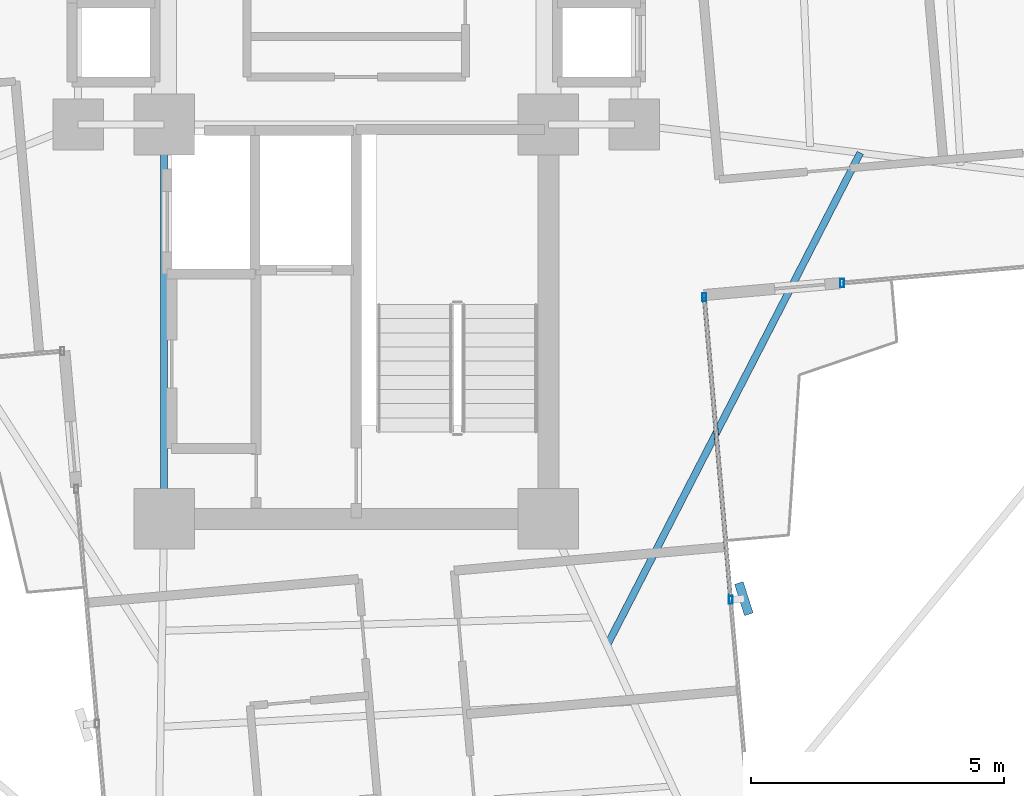
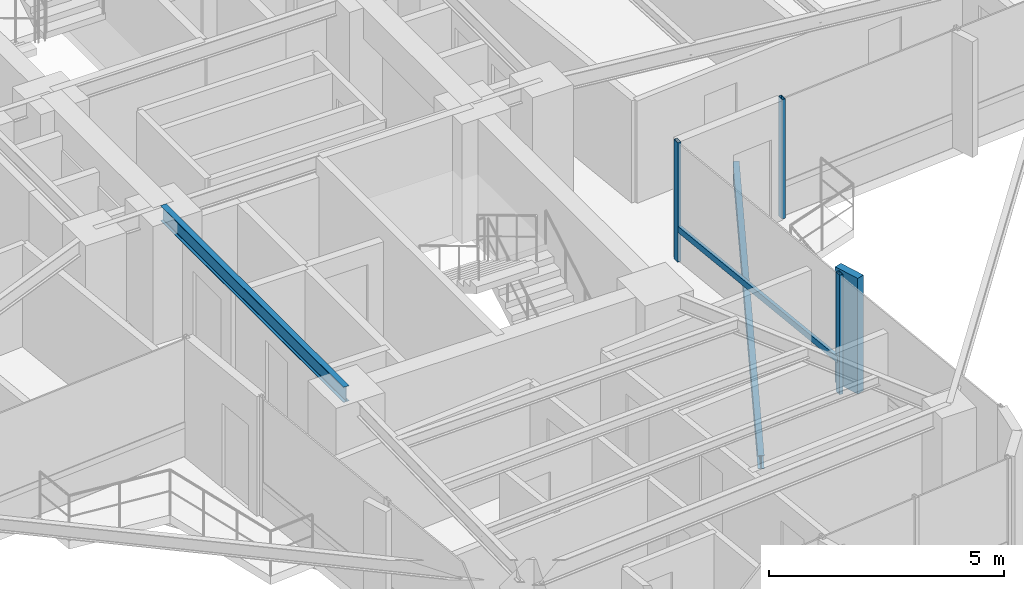
# One storey, part 7 of 24: 5 members, 2 beams, 2 elements without a shape of their own.
"""IFC4 building model written with IfcOpenShell, lengths in metres."""

from ifc_helpers import new_model, si_unit, direction, frame, origin, origin_2d, place, context, subcontext, project, spatial, rectangle, hollow_rectangle, i_section, extrude, source, transform, mapped, material, material_profile, profile_set, type_object, element, aggregate, save


model = new_model("IFC4")

# Units and contexts
model_context = context("Model", 3, precision=1e-05, world=origin(), true_north=direction((0.0, 1.0)))
body_context = subcontext(model_context, "Body", "Model", "MODEL_VIEW")
ifc_project = project(units=[si_unit("LENGTHUNIT", "METRE"), si_unit("AREAUNIT", "SQUARE_METRE"), si_unit("VOLUMEUNIT", "CUBIC_METRE"), si_unit("PLANEANGLEUNIT", "RADIAN"), si_unit("MASSUNIT", "GRAM", prefix="KILO")], contexts=[model_context])

# Site, building, storey
site_placement = place(None, origin())
site = spatial("IfcSite", under=ifc_project, at=site_placement, CompositionType="ELEMENT")
building_placement = place(site_placement, origin())
building = spatial("IfcBuilding", under=site, at=building_placement, Name="Sahyath Konkavel Grand Hotel", CompositionType="ELEMENT")
storey_placement = place(building_placement, frame((0.0, 0.0, 157.300048828125)))
storey = spatial("IfcBuildingStorey", under=building, at=storey_placement, Name="L43", CompositionType="ELEMENT", Elevation=157.300048828125)

# Beam
ifc_material_1 = material(Name="Steel E350", Category="steel")
ifc_material_profile_1 = material_profile(ifc_material_1, i_section(OverallWidth=0.139892578125, OverallDepth=0.39990234375, WebThickness=0.0087890625, FlangeThickness=0.01611328125, FilletRadius=0.013916015625, at=origin_2d()), Name="ISMB 400")
ifc_profile_set_1 = profile_set([ifc_material_profile_1], Name="Steel E350")
beam_type_1 = type_object("IfcBeamType", Name="BM-ISMB400", PredefinedType="BEAM", material=ifc_profile_set_1)
shared_shape_1 = source(origin(), body_context, "Body", "SweptSolid", [
    extrude(i_section(OverallWidth=0.139892578125, OverallDepth=0.39990234375, WebThickness=0.0087890625, FlangeThickness=0.01611328125, FilletRadius=0.013916015625, at=origin_2d()), origin(), (0.0, 0.0, 1.0), 7.800048828125),
])
beam_1_placement = place(storey_placement, frame((-3.800048828125, -10.199951171875, 2.909912109375), z_axis=(0.0, 1.0, 0.0), x_axis=(-1.0, 0.0, 0.0)))
element("IfcBeam", 1, at=beam_1_placement, inside=storey, type_object=beam_type_1, Name="str:bm:L43:SC-W", PredefinedType="BEAM", context=body_context, shape_type="MappedRepresentation", body=[
    mapped(shared_shape_1, transform((0.0, 0.0, 0.0), scale=1.0)),
])

# Curtain wall, member
ifc_material_2 = material(Name="Anodised Bronze Aluminium & Low-E Glazing", Category="aluminium")
curtain_wall_type = type_object("IfcCurtainWallType", Name="CW-ZONE3", PredefinedType="NOTDEFINED", material=ifc_material_2)
curtain_wall_1_placement = place(storey_placement, origin())
curtain_wall_1 = element("IfcCurtainWall", 2, at=curtain_wall_1_placement, inside=storey, type_object=curtain_wall_type, Name="L43 Unitised Curtain Wall F0", PredefinedType="NOTDEFINED")
ifc_material_3 = material(Name="Anodised Bronze Aluminium", Category="aluminium")
ifc_material_profile_2 = material_profile(ifc_material_3, hollow_rectangle(XDim=0.080078125, YDim=0.159912109375, WallThickness=0.006103515625, at=origin_2d()), Name="RHS 160x80x6")
ifc_profile_set_2 = profile_set([ifc_material_profile_2], Name="Anodised Bronze Aluminium")
member_type_1 = type_object("IfcMemberType", Name="CW-MUL-160", PredefinedType="MULLION", material=ifc_profile_set_2)
shared_shape_2 = source(origin(), body_context, "Body", "SweptSolid", [
    extrude(hollow_rectangle(XDim=0.080078125, YDim=0.159912109375, WallThickness=0.006103515625, at=origin_2d()), origin(), (0.0, 0.0, 1.0), 3.10986328125),
])
member_1_placement = place(storey_placement, frame((9.60888671875, -5.53369140625, 0.0), z_axis=(0.0, 0.0, 1.0), x_axis=(1.0, 0.0, 0.0)))
member_1 = element("IfcMember", 3, at=member_1_placement, type_object=member_type_1, Name="L43 Curtain Wall Mullion F0-0", PredefinedType="MULLION", context=body_context, shape_type="MappedRepresentation", body=[
    mapped(shared_shape_2, transform((0.0, 0.0, 0.0), scale=1.0)),
])
aggregate(curtain_wall_1, [member_1])

# Curtain wall, members
curtain_wall_2_placement = place(storey_placement, origin())
curtain_wall_2 = element("IfcCurtainWall", 4, at=curtain_wall_2_placement, inside=storey, type_object=curtain_wall_type, Name="L43 Unitised Curtain Wall F31", PredefinedType="NOTDEFINED")
member_2_placement = place(storey_placement, frame((7.406494140625, -11.79931640625, 0.0), z_axis=(0.0, 0.0, 1.0), x_axis=(1.0, 0.0, 0.0)))
member_2 = element("IfcMember", 5, at=member_2_placement, type_object=member_type_1, Name="L43 Curtain Wall Mullion F31-1", PredefinedType="MULLION", context=body_context, shape_type="MappedRepresentation", body=[
    mapped(shared_shape_2, transform((0.0, 0.0, 0.0), scale=1.0)),
])
member_3_placement = place(storey_placement, frame((6.8828125, -5.812255859375, 0.0), z_axis=(0.0, 0.0, 1.0), x_axis=(1.0, 0.0, 0.0)))
member_3 = element("IfcMember", 6, at=member_3_placement, type_object=member_type_1, Name="L43 Curtain Wall Mullion F31-2", PredefinedType="MULLION", context=body_context, shape_type="MappedRepresentation", body=[
    mapped(shared_shape_2, transform((0.0, 0.0, 0.0), scale=1.0)),
])
ifc_material_4 = material(Name="Warm Buff Sandstone Cladding on Concrete C50/60", Category="masonry")
ifc_material_profile_3 = material_profile(ifc_material_4, rectangle(XDim=0.179931640625, YDim=0.64990234375, at=origin_2d()), Name="FIN 180x650")
ifc_profile_set_3 = profile_set([ifc_material_profile_3], Name="Warm Buff Sandstone Cladding on Concrete C50/60")
member_type_2 = type_object("IfcMemberType", Name="FIN-SANDSTONE-650", PredefinedType="MULLION", material=ifc_profile_set_3)
shared_shape_3 = source(origin(), body_context, "Body", "SweptSolid", [
    extrude(rectangle(XDim=0.179931640625, YDim=0.64990234375, at=origin_2d()), origin(), (0.0, 0.0, 1.0), 3.010009765625),
])
member_4_placement = place(storey_placement, frame((7.66552734375, -11.776611328125, 0.050048828125), z_axis=(0.0, 0.0, 1.0), x_axis=(0.952767550771, 0.303700500819, 0.0)))
member_4 = element("IfcMember", 7, at=member_4_placement, type_object=member_type_2, Name="L43 Sandstone Vertical Solar Fin FIN F31-1", PredefinedType="MULLION", context=body_context, shape_type="MappedRepresentation", body=[
    mapped(shared_shape_3, transform((0.0, 0.0, 0.0), scale=1.0)),
])
ifc_material_profile_4 = material_profile(ifc_material_3, hollow_rectangle(XDim=0.080078125, YDim=0.159912109375, WallThickness=0.006103515625, at=origin_2d()), Name="RHS 160x80x6")
ifc_profile_set_4 = profile_set([ifc_material_profile_4], Name="Anodised Bronze Aluminium")
member_type_3 = type_object("IfcMemberType", Name="CW-TRN-160", PredefinedType="USERDEFINED", material=ifc_profile_set_4)
shared_shape_4 = source(origin(), body_context, "Body", "SweptSolid", [
    extrude(hollow_rectangle(XDim=0.080078125, YDim=0.159912109375, WallThickness=0.006103515625, at=origin_2d()), origin(), (0.0, 0.0, 1.0), 6.010009765625),
])
member_5_placement = place(storey_placement, frame((7.406494140625, -11.79931640625, 0.849853515625), z_axis=(-0.087136210597, 0.996196406741, 0.0), x_axis=(-0.996196406741, -0.087136210597, 0.0)))
member_5 = element("IfcMember", 8, at=member_5_placement, type_object=member_type_3, Name="L43 Curtain Wall Transom F31-1-spandrel", ObjectType="TRANSOM", PredefinedType="USERDEFINED", context=body_context, shape_type="MappedRepresentation", body=[
    mapped(shared_shape_4, transform((0.0, 0.0, 0.0), scale=1.0)),
])
aggregate(curtain_wall_2, [member_2, member_4, member_3, member_5])

# Beam
ifc_material_profile_5 = material_profile(ifc_material_1, i_section(OverallWidth=0.139892578125, OverallDepth=0.35009765625, WebThickness=0.008056640625, FlangeThickness=0.01416015625, FilletRadius=0.013916015625, at=origin_2d()), Name="ISMB 350")
ifc_profile_set_5 = profile_set([ifc_material_profile_5], Name="Steel E350")
beam_type_2 = type_object("IfcBeamType", Name="BM-BALC-CANT", PredefinedType="BEAM", material=ifc_profile_set_5)
shared_shape_5 = source(origin(), body_context, "Body", "SweptSolid", [
    extrude(i_section(OverallWidth=0.139892578125, OverallDepth=0.35009765625, WebThickness=0.008056640625, FlangeThickness=0.01416015625, FilletRadius=0.013916015625, at=origin_2d()), origin(), (0.0, 0.0, 1.0), 10.95556640625),
])
beam_2_placement = place(storey_placement, frame((4.959716796875, -12.703125, -0.4150390625), z_axis=(0.457186878355, 0.889370652912, 0.0), x_axis=(-0.889370652912, 0.457186878355, 0.0)))
element("IfcBeam", 9, at=beam_2_placement, inside=storey, type_object=beam_type_2, Name="L43 Balcony Cantilever Support Beam SE", PredefinedType="BEAM", context=body_context, shape_type="MappedRepresentation", body=[
    mapped(shared_shape_5, transform((0.0, 0.0, 0.0), scale=1.0)),
])

save(model, "model.ifc")
